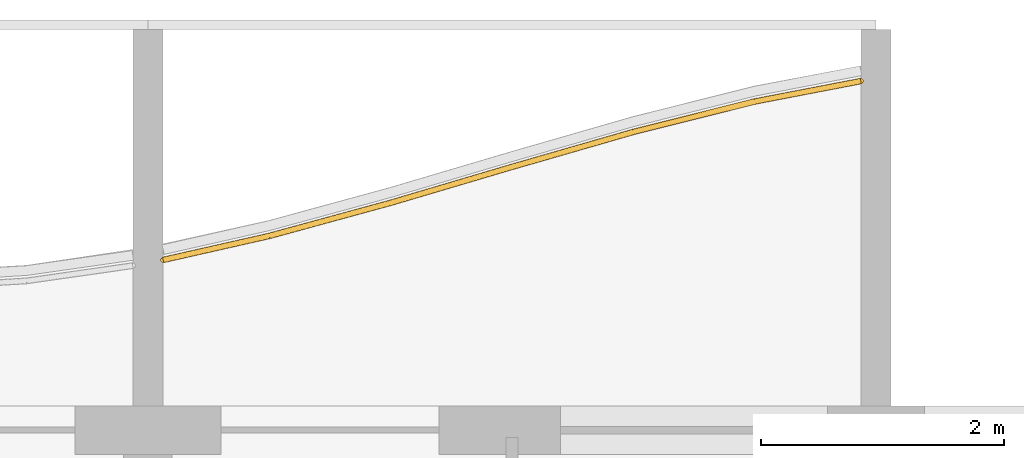
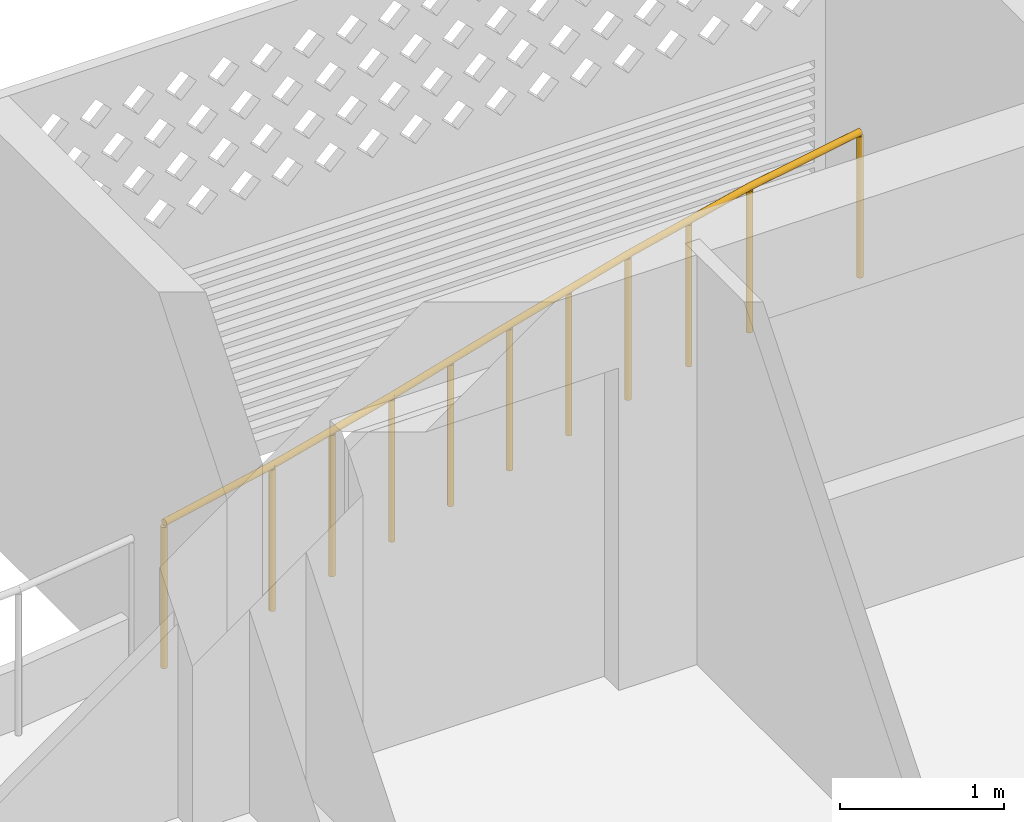
# One storey, part 33 of 38: 1 railing.
"""IFC4 building model written with IfcOpenShell, lengths in metres."""

from ifc_helpers import new_model, si_unit, direction, frame, origin, origin_2d, place, context, subcontext, project, spatial, circle, extrude, material, type_object, element, save


model = new_model("IFC4")

# Units and contexts
model_context = context("Model", 3, precision=1e-05, world=origin(), true_north=direction((0.0, 1.0)))
body_context = subcontext(model_context, "Body", "Model", "MODEL_VIEW")
ifc_project = project(units=[si_unit("LENGTHUNIT", "METRE"), si_unit("AREAUNIT", "SQUARE_METRE"), si_unit("VOLUMEUNIT", "CUBIC_METRE"), si_unit("PLANEANGLEUNIT", "RADIAN"), si_unit("MASSUNIT", "GRAM", prefix="KILO")], contexts=[model_context])

# Site, building, storey
site_placement = place(None, origin())
site = spatial("IfcSite", under=ifc_project, at=site_placement, CompositionType="ELEMENT")
building_placement = place(site_placement, origin())
building = spatial("IfcBuilding", under=site, at=building_placement, Name="Poui Terraces", CompositionType="ELEMENT")
storey_placement = place(building_placement, frame((0.0, 0.0, 43.199951171875)))
storey = spatial("IfcBuildingStorey", under=building, at=storey_placement, Name="L11", CompositionType="ELEMENT", Elevation=43.199951171875)

# Railing
ifc_material = material(Name="Painted steel fretwork", Category="steel")
railing_type = type_object("IfcRailingType", Name="BALCONY GUARD 1100", PredefinedType="GUARDRAIL", material=ifc_material)
railing_placement = place(storey_placement, frame((72.125, 46.20263671875, 0.0)))
element("IfcRailing", 1, at=railing_placement, inside=storey, type_object=railing_type, Name="BALCONY GUARD", PredefinedType="GUARDRAIL", context=body_context, shape_type="SweptSolid", body=[
    extrude(circle(Radius=0.02392578125, at=origin_2d()), frame((0.0, 0.0, 1.076171875), z_axis=(0.975340938218, 0.220703543777, 0.0), x_axis=(-0.220703543777, 0.975340938218, 0.0)), (0.0, 0.0, 1.0), 0.897216796875),
    extrude(circle(Radius=0.02392578125, at=origin_2d()), frame((0.875, 0.197998046875, 1.076171875), z_axis=(0.964709448785, 0.263316690367, 0.0), x_axis=(-0.263316690367, 0.964709448785, 0.0)), (0.0, 0.0, 1.0), 1.03662109375),
    extrude(circle(Radius=0.02392578125, at=origin_2d()), frame((1.875, 0.470947265625, 1.076171875), z_axis=(0.958901964879, 0.283737593123, 0.0), x_axis=(-0.283737593123, 0.958901964879, 0.0)), (0.0, 0.0, 1.0), 1.04296875),
    extrude(circle(Radius=0.02392578125, at=origin_2d()), frame((2.875, 0.766845703125, 1.076171875), z_axis=(0.960919647927, 0.276827437635, 0.0), x_axis=(-0.276827437635, 0.960919647927, 0.0)), (0.0, 0.0, 1.0), 1.040771484375),
    extrude(circle(Radius=0.02392578125, at=origin_2d()), frame((3.875, 1.054931640625, 1.076171875), z_axis=(0.969975109493, 0.243204208362, 0.0), x_axis=(-0.243204208362, 0.969975109493, 0.0)), (0.0, 0.0, 1.0), 1.031005859375),
    extrude(circle(Radius=0.02392578125, at=origin_2d()), frame((4.875, 1.3056640625, 1.076171875), z_axis=(0.981967340867, 0.189050632031, 0.0), x_axis=(-0.189050632031, 0.981967340867, 0.0)), (0.0, 0.0, 1.0), 0.89111328125),
    extrude(circle(Radius=0.02099609375, at=origin_2d()), origin(), (0.0, 0.0, 1.0), 1.052001953125),
    extrude(circle(Radius=0.02099609375, at=origin_2d()), frame((0.875, 0.197998046875, 0.0)), (0.0, 0.0, 1.0), 1.052001953125),
    extrude(circle(Radius=0.02099609375, at=origin_2d()), frame((1.375, 0.33447265625, 0.0)), (0.0, 0.0, 1.0), 1.052001953125),
    extrude(circle(Radius=0.02099609375, at=origin_2d()), frame((1.875, 0.470947265625, 0.0)), (0.0, 0.0, 1.0), 1.052001953125),
    extrude(circle(Radius=0.02099609375, at=origin_2d()), frame((2.375, 0.618896484375, 0.0)), (0.0, 0.0, 1.0), 1.052001953125),
    extrude(circle(Radius=0.02099609375, at=origin_2d()), frame((2.875, 0.766845703125, 0.0)), (0.0, 0.0, 1.0), 1.052001953125),
    extrude(circle(Radius=0.02099609375, at=origin_2d()), frame((3.375, 0.910888671875, 0.0)), (0.0, 0.0, 1.0), 1.052001953125),
    extrude(circle(Radius=0.02099609375, at=origin_2d()), frame((3.875, 1.054931640625, 0.0)), (0.0, 0.0, 1.0), 1.052001953125),
    extrude(circle(Radius=0.02099609375, at=origin_2d()), frame((4.375, 1.18017578125, 0.0)), (0.0, 0.0, 1.0), 1.052001953125),
    extrude(circle(Radius=0.02099609375, at=origin_2d()), frame((4.875, 1.3056640625, 0.0)), (0.0, 0.0, 1.0), 1.052001953125),
    extrude(circle(Radius=0.02099609375, at=origin_2d()), frame((5.75, 1.47412109375, 0.0)), (0.0, 0.0, 1.0), 1.052001953125),
])

save(model, "model.ifc")
